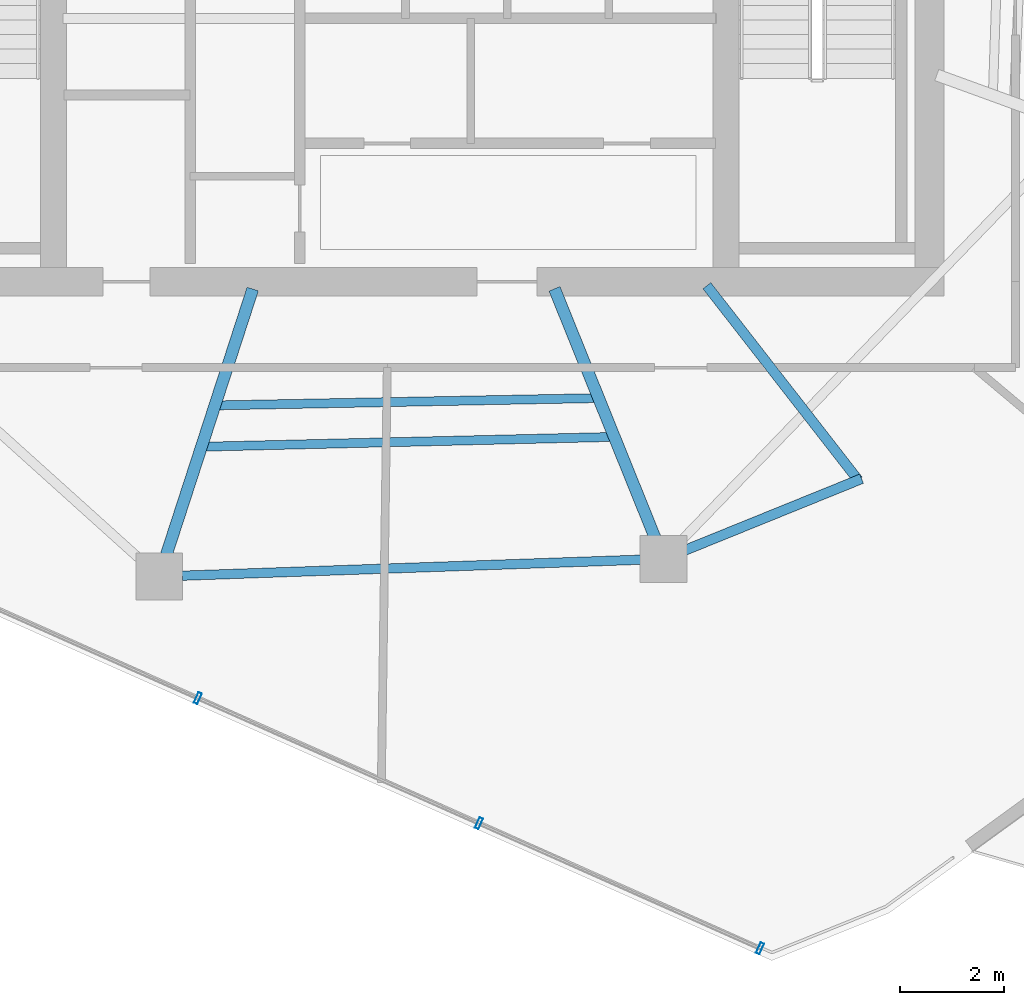
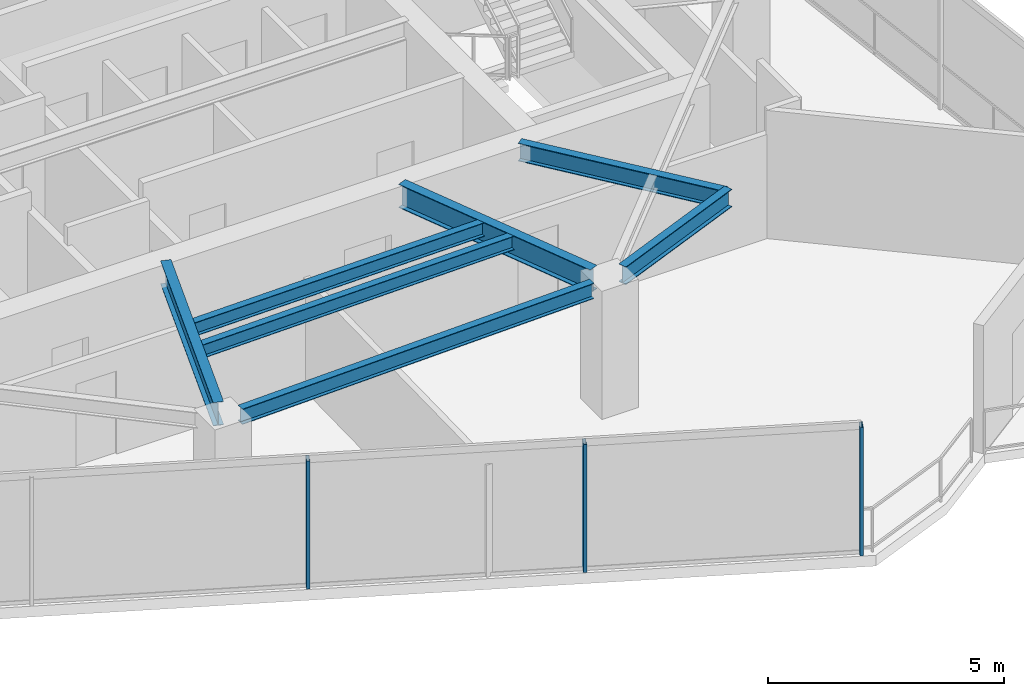
# One storey, part 5 of 20: 7 beams, 3 members, 1 element without a shape of its own.
"""IFC4 building model written with IfcOpenShell, lengths in metres."""

from ifc_helpers import new_model, si_unit, direction, frame, origin, origin_2d, place, context, subcontext, project, spatial, hollow_rectangle, i_section, extrude, material, layer, layer_set, material_profile, profile_set, type_object, element, aggregate, save


model = new_model("IFC4")

# Units and contexts
model_context = context("Model", 3, precision=1e-05, world=origin(), true_north=direction((0.0, 1.0)))
body_context = subcontext(model_context, "Body", "Model", "MODEL_VIEW")
ifc_project = project(units=[si_unit("LENGTHUNIT", "METRE"), si_unit("AREAUNIT", "SQUARE_METRE"), si_unit("VOLUMEUNIT", "CUBIC_METRE"), si_unit("PLANEANGLEUNIT", "RADIAN"), si_unit("MASSUNIT", "GRAM", prefix="KILO")], contexts=[model_context])

# Site, building, storey
site_placement = place(None, origin())
site = spatial("IfcSite", under=ifc_project, at=site_placement, CompositionType="ELEMENT")
building_placement = place(site_placement, origin())
building = spatial("IfcBuilding", under=site, at=building_placement, Name="Qarnah Convention Tower", CompositionType="ELEMENT")
storey_placement = place(building_placement, frame((0.0, 0.0, 202.199951171875)))
storey = spatial("IfcBuildingStorey", under=building, at=storey_placement, Name="L54", CompositionType="ELEMENT", Elevation=202.199951171875)

# Beams
ifc_material_1 = material(Name="Structural steel S355JR", Category="steel")
ifc_material_profile_1 = material_profile(ifc_material_1, i_section(OverallWidth=0.19189453125, OverallDepth=0.464111328125, WebThickness=0.010986328125, FlangeThickness=0.01806640625, at=origin_2d()), Name="W460X89")
ifc_profile_set_1 = profile_set([ifc_material_profile_1], Name="Structural steel S355JR")
beam_type_1 = type_object("IfcBeamType", Name="BM-CANT-W460A", PredefinedType="BEAM", material=ifc_profile_set_1)
beam_1_placement = place(storey_placement, frame((43.3310546875, 18.52099609375, 3.088134765625), z_axis=(0.614241094698, -0.789118417973, 0.0), x_axis=(0.789118417973, 0.614241094698, 0.0)))
element("IfcBeam", 1, at=beam_1_placement, inside=storey, type_object=beam_type_1, Name="L54 beam BM-L54-CNT-03-1", PredefinedType="BEAM", context=body_context, shape_type="SweptSolid", body=[
    extrude(i_section(OverallWidth=0.19189453125, OverallDepth=0.464111328125, WebThickness=0.010986328125, FlangeThickness=0.01806640625, at=origin_2d()), origin(), (0.0, 0.0, 1.0), 4.724365234375),
])
beam_2_placement = place(storey_placement, frame((46.298095703125, 14.819091796875, 3.088134765625), z_axis=(-0.926735498901, -0.375714406268, 0.0), x_axis=(0.375714406268, -0.926735498901, 0.0)))
element("IfcBeam", 2, at=beam_2_placement, inside=storey, type_object=beam_type_1, Name="L54 spandrel BM-L54-CTIE-03", PredefinedType="SPANDREL", context=body_context, shape_type="SweptSolid", body=[
    extrude(i_section(OverallWidth=0.19189453125, OverallDepth=0.464111328125, WebThickness=0.010986328125, FlangeThickness=0.01806640625, at=origin_2d()), origin(), (0.0, 0.0, 1.0), 3.656982421875),
])
ifc_material_profile_2 = material_profile(ifc_material_1, i_section(OverallWidth=0.172119140625, OverallDepth=0.35595703125, WebThickness=0.007080078125, FlangeThickness=0.011962890625, at=origin_2d()), Name="W360X51")
ifc_profile_set_2 = profile_set([ifc_material_profile_2], Name="Structural steel S355JR")
beam_type_2 = type_object("IfcBeamType", Name="BM-JST-W360", PredefinedType="JOIST", material=ifc_profile_set_2)
beam_3_placement = place(storey_placement, frame((33.72607421875, 15.43408203125, 3.14208984375), z_axis=(0.999714973703, 0.023874072844, 0.0), x_axis=(-0.023874072844, 0.999714973703, 0.0)))
element("IfcBeam", 3, at=beam_3_placement, inside=storey, type_object=beam_type_2, Name="L54 joist BM-L54-SJST-07", PredefinedType="JOIST", context=body_context, shape_type="SweptSolid", body=[
    extrude(i_section(OverallWidth=0.172119140625, OverallDepth=0.35595703125, WebThickness=0.007080078125, FlangeThickness=0.011962890625, at=origin_2d()), origin(), (0.0, 0.0, 1.0), 7.7412109375),
])
beam_4_placement = place(storey_placement, frame((33.98291015625, 16.22607421875, 3.14208984375), z_axis=(0.999815617166, 0.0192023871, 0.0), x_axis=(-0.0192023871, 0.999815617166, 0.0)))
element("IfcBeam", 4, at=beam_4_placement, inside=storey, type_object=beam_type_2, Name="L54 joist BM-L54-IJST-07", PredefinedType="JOIST", context=body_context, shape_type="SweptSolid", body=[
    extrude(i_section(OverallWidth=0.172119140625, OverallDepth=0.35595703125, WebThickness=0.007080078125, FlangeThickness=0.011962890625, at=origin_2d()), origin(), (0.0, 0.0, 1.0), 7.183349609375),
])
ifc_material_profile_3 = material_profile(ifc_material_1, i_section(OverallWidth=0.22802734375, OverallDepth=0.60791015625, WebThickness=0.010986328125, FlangeThickness=0.01708984375, at=origin_2d()), Name="W610X113")
ifc_profile_set_3 = profile_set([ifc_material_profile_3], Name="Structural steel S355JR")
beam_type_3 = type_object("IfcBeamType", Name="BM-RAD-W610B", PredefinedType="BEAM", material=ifc_profile_set_3)
beam_5_placement = place(storey_placement, frame((34.618896484375, 18.45703125, 3.01611328125), z_axis=(-0.309055218988, -0.951044095516, 0.0), x_axis=(0.951044095516, -0.309055218988, 0.0)))
element("IfcBeam", 5, at=beam_5_placement, inside=storey, type_object=beam_type_3, Name="L54 beam BM-L54-RAD-07", PredefinedType="BEAM", context=body_context, shape_type="SweptSolid", body=[
    extrude(i_section(OverallWidth=0.22802734375, OverallDepth=0.60791015625, WebThickness=0.010986328125, FlangeThickness=0.01708984375, at=origin_2d()), origin(), (0.0, 0.0, 1.0), 5.36767578125),
])
beam_6_placement = place(storey_placement, frame((40.407958984375, 18.4609375, 3.01611328125), z_axis=(0.374620360642, -0.927178292127, 0.0), x_axis=(0.927178292127, 0.374620360642, 0.0)))
element("IfcBeam", 6, at=beam_6_placement, inside=storey, type_object=beam_type_3, Name="L54 beam BM-L54-RAD-08", PredefinedType="BEAM", context=body_context, shape_type="SweptSolid", body=[
    extrude(i_section(OverallWidth=0.22802734375, OverallDepth=0.60791015625, WebThickness=0.010986328125, FlangeThickness=0.01708984375, at=origin_2d()), origin(), (0.0, 0.0, 1.0), 5.157470703125),
])
ifc_material_profile_4 = material_profile(ifc_material_1, i_section(OverallWidth=0.179931640625, OverallDepth=0.39990234375, WebThickness=0.009033203125, FlangeThickness=0.013916015625, at=origin_2d()), Name="IPE400")
ifc_profile_set_4 = profile_set([ifc_material_profile_4], Name="Structural steel S355JR")
beam_type_4 = type_object("IfcBeamType", Name="BM-SPN-IPE400", PredefinedType="SPANDREL", material=ifc_profile_set_4)
beam_7_placement = place(storey_placement, frame((33.26708984375, 12.9580078125, 3.1201171875), z_axis=(0.999391645542, 0.034876049374, 0.0), x_axis=(-0.034876049374, 0.999391645542, 0.0)))
element("IfcBeam", 7, at=beam_7_placement, inside=storey, type_object=beam_type_4, Name="L54 spandrel BM-L54-SPN-07", PredefinedType="SPANDREL", context=body_context, shape_type="SweptSolid", body=[
    extrude(i_section(OverallWidth=0.179931640625, OverallDepth=0.39990234375, WebThickness=0.009033203125, FlangeThickness=0.013916015625, at=origin_2d()), origin(), (0.0, 0.0, 1.0), 8.79931640625),
])

# Curtain wall, members
ifc_material_2 = material(Name="Tempered Low-E dark glass", Category="glass")
ifc_layer = layer(ifc_material_2, 0.174072265625)
ifc_layer_set = layer_set([ifc_layer], Name="Tempered Low-E dark glass")
curtain_wall_type = type_object("IfcCurtainWallType", Name="CWS-04", PredefinedType="NOTDEFINED", material=ifc_layer_set)
curtain_wall_placement = place(storey_placement, origin())
curtain_wall = element("IfcCurtainWall", 8, at=curtain_wall_placement, inside=storey, type_object=curtain_wall_type, Name="L54 unitised curtain wall CW-L54-F1", PredefinedType="NOTDEFINED")
ifc_material_3 = material(Name="Black anodised aluminium", Category="aluminium")
ifc_material_profile_5 = material_profile(ifc_material_3, hollow_rectangle(XDim=0.074951171875, YDim=0.219970703125, WallThickness=0.0048828125, at=origin_2d()), Name="MUL-75X220")
ifc_profile_set_5 = profile_set([ifc_material_profile_5], Name="Black anodised aluminium")
member_type = type_object("IfcMemberType", Name="MUL-T4", PredefinedType="MULLION", material=ifc_profile_set_5)
member_1_placement = place(storey_placement, frame((44.35107421875, 5.80908203125, 0.0), z_axis=(0.0, 0.0, 1.0), x_axis=(-0.913550057667, 0.406726311094, 0.0)))
member_1 = element("IfcMember", 9, at=member_1_placement, type_object=member_type, Name="CW-L54-F1 mullion 1", PredefinedType="MULLION", context=body_context, shape_type="SweptSolid", body=[
    extrude(hollow_rectangle(XDim=0.074951171875, YDim=0.219970703125, WallThickness=0.0048828125, at=origin_2d()), origin(), (0.0, 0.0, 1.0), 3.320068359375),
])
member_2_placement = place(storey_placement, frame((38.958984375, 8.209716796875, 0.0), z_axis=(0.0, 0.0, 1.0), x_axis=(-0.913550057667, 0.406726311094, 0.0)))
member_2 = element("IfcMember", 10, at=member_2_placement, type_object=member_type, Name="CW-L54-F1 mullion 2", PredefinedType="MULLION", context=body_context, shape_type="SweptSolid", body=[
    extrude(hollow_rectangle(XDim=0.074951171875, YDim=0.219970703125, WallThickness=0.0048828125, at=origin_2d()), origin(), (0.0, 0.0, 1.0), 3.320068359375),
])
member_3_placement = place(storey_placement, frame((33.56689453125, 10.610107421875, 0.0), z_axis=(0.0, 0.0, 1.0), x_axis=(-0.913550057667, 0.406726311094, 0.0)))
member_3 = element("IfcMember", 11, at=member_3_placement, type_object=member_type, Name="CW-L54-F1 mullion 3", PredefinedType="MULLION", context=body_context, shape_type="SweptSolid", body=[
    extrude(hollow_rectangle(XDim=0.074951171875, YDim=0.219970703125, WallThickness=0.0048828125, at=origin_2d()), origin(), (0.0, 0.0, 1.0), 3.320068359375),
])
aggregate(curtain_wall, [member_1, member_2, member_3])

save(model, "model.ifc")
